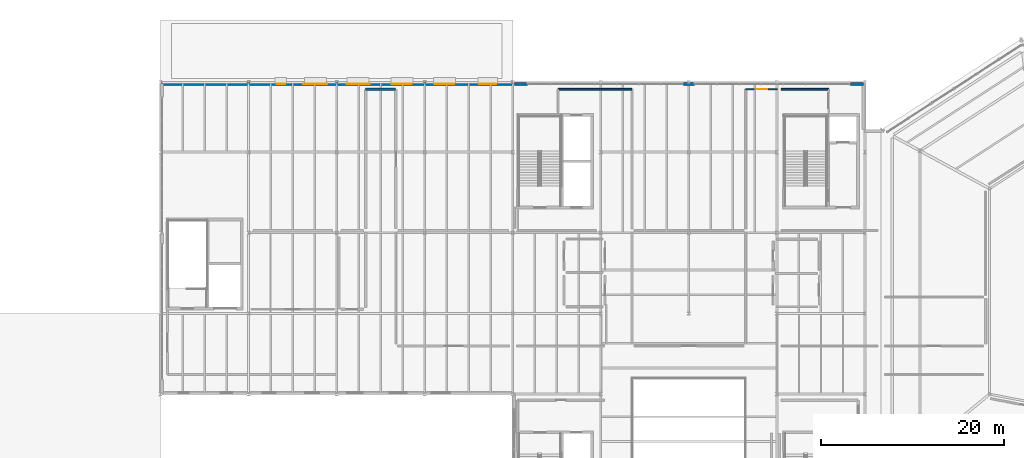
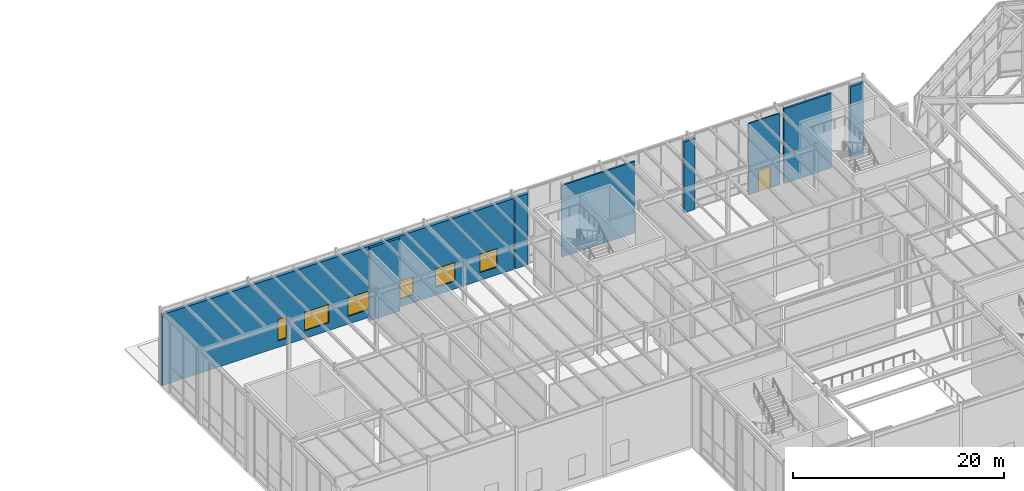
# One storey, part 39 of 48: 8 walls, 6 windows, 1 door, 7 openings.
"""IFC4 building model written with IfcOpenShell, lengths in metres."""

from ifc_helpers import new_model, si_unit, direction, frame, frame_2d, origin, place, context, subcontext, project, spatial, rectangle, extrude, material, layer, layer_set, type_object, element, fill, save


model = new_model("IFC4")

# Units and contexts
model_context = context("Model", 3, precision=1e-05, world=origin(), true_north=direction((0.0, 1.0)))
body_context = subcontext(model_context, "Body", "Model", "MODEL_VIEW")
ifc_project = project(units=[si_unit("LENGTHUNIT", "METRE"), si_unit("AREAUNIT", "SQUARE_METRE"), si_unit("VOLUMEUNIT", "CUBIC_METRE"), si_unit("PLANEANGLEUNIT", "RADIAN"), si_unit("MASSUNIT", "GRAM", prefix="KILO")], contexts=[model_context])

# Site, building, storey
site_placement = place(None, origin())
site = spatial("IfcSite", under=ifc_project, at=site_placement, CompositionType="ELEMENT")
building_placement = place(site_placement, origin())
building = spatial("IfcBuilding", under=site, at=building_placement, Name="Sarnbrook Museum", CompositionType="ELEMENT")
storey_placement = place(building_placement, frame((0.0, 0.0, 19.10009765625)))
storey = spatial("IfcBuildingStorey", under=building, at=storey_placement, Name="L04", CompositionType="ELEMENT", Elevation=19.10009765625)

# Wall
ifc_material_1 = material(Name="Concrete N40 (AS 3600, f'c = 40 MPa)", Category="concrete")
ifc_layer_1 = layer(ifc_material_1, 0.260009765625)
ifc_layer_set_1 = layer_set([ifc_layer_1], Name="Concrete N40 (AS 3600, f'c = 40 MPa)")
wall_type_1 = type_object("IfcWallType", Name="FireWall_FW240", PredefinedType="SOLIDWALL", material=ifc_layer_set_1)
wall_1_placement = place(storey_placement, frame((68.0400390625, 107.64990234375, 0.0), z_axis=(0.0, 0.0, 1.0), x_axis=(-1.0, 0.0, 0.0)))
element("IfcWall", 1, at=wall_1_placement, inside=storey, type_object=wall_type_1, Name="Interior Partition Wall L04-0788", PredefinedType="SOLIDWALL", context=body_context, shape_type="SweptSolid", body=[
    extrude(rectangle(XDim=3.280029296875, YDim=0.260009765625, at=frame_2d((1.64013671875, 0.0))), origin(), (0.0, 0.0, 1.0), 8.416015625),
])

# Wall, opening, door
ifc_material_2 = material(Name="Fire-Rated Acoustic Gypsum Plasterboard")
ifc_layer_2 = layer(ifc_material_2, 0.1201171875)
ifc_layer_set_2 = layer_set([ifc_layer_2], Name="Fire-Rated Acoustic Gypsum Plasterboard")
wall_type_2 = type_object("IfcWallType", Name="PartWall_P120", PredefinedType="PARTITIONING", material=ifc_layer_set_2)
wall_2_placement = place(storey_placement, frame((109.6298828125, 107.64990234375, 0.0), z_axis=(0.0, 0.0, 1.0), x_axis=(-1.0, 0.0, 0.0)))
wall_2 = element("IfcWall", 2, at=wall_2_placement, inside=storey, type_object=wall_type_2, Name="Interior Partition Wall L04-0769", PredefinedType="PARTITIONING", context=body_context, shape_type="SweptSolid", body=[
    extrude(rectangle(XDim=3.419921875, YDim=0.1201171875, at=frame_2d((1.7099609375, 0.0))), origin(), (0.0, 0.0, 1.0), 8.262939453125),
])
opening_1_placement = place(wall_2_placement, frame((1.06005859375, 0.0, 0.0)))
opening_1 = element("IfcOpeningElement", 3, at=opening_1_placement, cuts=wall_2, Name="Opening D-L04-218", PredefinedType="OPENING", context=body_context, shape_type="SweptSolid", body=[
    extrude(rectangle(XDim=1.300048828125, YDim=2.4599609375, at=frame_2d((0.64990234375, 1.22998046875))), frame((0.0, 0.070068359375, 0.0), z_axis=(0.0, -1.0, 0.0), x_axis=(1.0, 0.0, 0.0)), (0.0, 0.0, 1.0), 0.14013671875),
])
ifc_material_3 = material(Name="Tasmanian Oak Acoustic Timber", Category="wood")
door_type = type_object("IfcDoorType", Name="IntDoor_DT28", OperationType="NOTDEFINED", PredefinedType="DOOR", material=ifc_material_3)
door_placement = place(opening_1_placement, origin())
door = element("IfcDoor", 4, at=door_placement, inside=storey, type_object=door_type, Name="Mineral Crystal Treasury L04-7 Door D-L04-218", OperationType="SINGLE_SWING_RIGHT", OverallHeight=2.4599609375, OverallWidth=1.300048828125, PredefinedType="DOOR", context=body_context, shape_type="SweptSolid", body=[
    extrude(rectangle(XDim=1.300048828125, YDim=2.4599609375, at=frame_2d((0.64990234375, 1.22998046875))), frame((0.0, 0.02490234375, 0.0), z_axis=(0.0, -1.0, 0.0), x_axis=(1.0, 0.0, 0.0)), (0.0, 0.0, 1.0), 0.050048828125),
])
fill(opening_1, door)

# Walls
ifc_layer_3 = layer(ifc_material_2, 0.179931640625)
ifc_layer_set_3 = layer_set([ifc_layer_3], Name="Fire-Rated Acoustic Gypsum Plasterboard")
wall_type_3 = type_object("IfcWallType", Name="PartWall_P180", PredefinedType="PARTITIONING", material=ifc_layer_set_3)
wall_3_placement = place(storey_placement, frame((93.7900390625, 107.64990234375, 0.0), z_axis=(0.0, 0.0, 1.0), x_axis=(-1.0, 0.0, 0.0)))
element("IfcWall", 5, at=wall_3_placement, inside=storey, type_object=wall_type_3, Name="Interior Partition Wall L04-0772", PredefinedType="PARTITIONING", context=body_context, shape_type="SweptSolid", body=[
    extrude(rectangle(XDim=8.030029296875, YDim=0.179931640625, at=frame_2d((4.01513671875, 0.0))), origin(), (0.0, 0.0, 1.0), 8.262939453125),
])
ifc_layer_4 = layer(ifc_material_2, 0.2099609375)
ifc_layer_set_4 = layer_set([ifc_layer_4], Name="Fire-Rated Acoustic Gypsum Plasterboard")
wall_type_4 = type_object("IfcWallType", Name="PartWall_P210", PredefinedType="PARTITIONING", material=ifc_layer_set_4)
wall_4_placement = place(storey_placement, frame((115.239990234375, 107.64990234375, 0.0), z_axis=(0.0, 0.0, 1.0), x_axis=(-1.0, 0.0, 0.0)))
element("IfcWall", 6, at=wall_4_placement, inside=storey, type_object=wall_type_4, Name="Interior Partition Wall L04-0784", PredefinedType="PARTITIONING", context=body_context, shape_type="SweptSolid", body=[
    extrude(rectangle(XDim=5.18994140625, YDim=0.2099609375, at=frame_2d((2.594970703125, 0.0))), origin(), (0.0, 0.0, 1.0), 8.6298828125),
])

# Wall, openings, windows
ifc_material_4 = material(Name="Victorian Bluestone Ashlar Masonry", Category="masonry")
ifc_layer_5 = layer(ifc_material_4, 0.320068359375)
ifc_layer_set_5 = layer_set([ifc_layer_5], Name="Victorian Bluestone Ashlar Masonry")
wall_type_5 = type_object("IfcWallType", Name="Wall_LimestoneSpandrel320", PredefinedType="STANDARD", material=ifc_layer_set_5)
wall_5_placement = place(storey_placement, frame((80.800048828125, 108.239990234375, 0.0), z_axis=(0.0, 0.0, 1.0), x_axis=(-1.0, 0.0, 0.0)))
wall_5 = element("IfcWall", 7, at=wall_5_placement, inside=storey, type_object=wall_type_5, Name="Classical Sandstone Facade Wall L04-01", PredefinedType="STANDARD", context=body_context, shape_type="SweptSolid", body=[
    extrude(rectangle(XDim=38.400146484375, YDim=0.320068359375, at=frame_2d((19.2001953125, 0.0))), origin(), (0.0, 0.0, 1.0), 8.201904296875),
])
opening_2_placement = place(wall_5_placement, frame((1.800048828125, 0.0, 0.89990234375)))
opening_2 = element("IfcOpeningElement", 8, at=opening_2_placement, cuts=wall_5, Name="Opening WT-29", PredefinedType="OPENING", context=body_context, shape_type="SweptSolid", body=[
    extrude(rectangle(XDim=1.85009765625, YDim=2.14990234375, at=frame_2d((0.925048828125, 1.074951171875))), frame((0.0, 0.169921875, 0.0), z_axis=(0.0, -1.0, 0.0), x_axis=(1.0, 0.0, 0.0)), (0.0, 0.0, 1.0), 0.340087890625),
])
opening_3_placement = place(wall_5_placement, frame((6.39990234375, 0.0, 0.89990234375)))
opening_3 = element("IfcOpeningElement", 9, at=opening_3_placement, cuts=wall_5, Name="Opening WT-30", PredefinedType="OPENING", context=body_context, shape_type="SweptSolid", body=[
    extrude(rectangle(XDim=2.1201171875, YDim=2.14990234375, at=frame_2d((1.06005859375, 1.074951171875))), frame((0.0, 0.169921875, 0.0), z_axis=(0.0, -1.0, 0.0), x_axis=(1.0, 0.0, 0.0)), (0.0, 0.0, 1.0), 0.340087890625),
])
opening_4_placement = place(wall_5_placement, frame((11.0, 0.0, 0.89990234375)))
opening_4 = element("IfcOpeningElement", 10, at=opening_4_placement, cuts=wall_5, Name="Opening WT-31", PredefinedType="OPENING", context=body_context, shape_type="SweptSolid", body=[
    extrude(rectangle(XDim=2.199951171875, YDim=2.14990234375, at=frame_2d((1.10009765625, 1.074951171875))), frame((0.0, 0.169921875, 0.0), z_axis=(0.0, -1.0, 0.0), x_axis=(1.0, 0.0, 0.0)), (0.0, 0.0, 1.0), 0.340087890625),
])
opening_5_placement = place(wall_5_placement, frame((15.60009765625, 0.0, 0.89990234375)))
opening_5 = element("IfcOpeningElement", 11, at=opening_5_placement, cuts=wall_5, Name="Opening WT-32", PredefinedType="OPENING", context=body_context, shape_type="SweptSolid", body=[
    extrude(rectangle(XDim=2.52001953125, YDim=2.14990234375, at=frame_2d((1.260009765625, 1.074951171875))), frame((0.0, 0.169921875, 0.0), z_axis=(0.0, -1.0, 0.0), x_axis=(1.0, 0.0, 0.0)), (0.0, 0.0, 1.0), 0.340087890625),
])
opening_6_placement = place(wall_5_placement, frame((20.199951171875, 0.0, 0.89990234375)))
opening_6 = element("IfcOpeningElement", 12, at=opening_6_placement, cuts=wall_5, Name="Opening WT-33", PredefinedType="OPENING", context=body_context, shape_type="SweptSolid", body=[
    extrude(rectangle(XDim=2.64990234375, YDim=2.14990234375, at=frame_2d((1.324951171875, 1.074951171875))), frame((0.0, 0.169921875, 0.0), z_axis=(0.0, -1.0, 0.0), x_axis=(1.0, 0.0, 0.0)), (0.0, 0.0, 1.0), 0.340087890625),
])
opening_7_placement = place(wall_5_placement, frame((24.800048828125, 0.0, 0.75)))
opening_7 = element("IfcOpeningElement", 13, at=opening_7_placement, cuts=wall_5, Name="Opening WT-34", PredefinedType="OPENING", context=body_context, shape_type="SweptSolid", body=[
    extrude(rectangle(XDim=0.949951171875, YDim=2.5, at=frame_2d((0.47509765625, 1.25))), frame((0.0, 0.169921875, 0.0), z_axis=(0.0, -1.0, 0.0), x_axis=(1.0, 0.0, 0.0)), (0.0, 0.0, 1.0), 0.340087890625),
])
ifc_material_5 = material(Name="Double-Glazed Low-Iron Laminated Safety Glass", Category="glass")
window_type_1 = type_object("IfcWindowType", Name="Window_Classical_WT29", PartitioningType="SINGLE_PANEL", PredefinedType="WINDOW", material=ifc_material_5)
window_1_placement = place(opening_2_placement, origin())
window_1 = element("IfcWindow", 14, at=window_1_placement, inside=storey, type_object=window_type_1, Name="Classical Bronze Casement Window WIN:L04:0117", OverallHeight=2.14990234375, OverallWidth=1.85009765625, PartitioningType="SINGLE_PANEL", PredefinedType="WINDOW", context=body_context, shape_type="SweptSolid", body=[
    extrude(rectangle(XDim=1.85009765625, YDim=2.14990234375, at=frame_2d((0.925048828125, 1.074951171875))), frame((0.0, 0.030029296875, 0.0), z_axis=(0.0, -1.0, 0.0), x_axis=(1.0, 0.0, 0.0)), (0.0, 0.0, 1.0), 0.06005859375),
])
fill(opening_2, window_1)
window_type_2 = type_object("IfcWindowType", Name="Window_Classical_WT30", PartitioningType="SINGLE_PANEL", PredefinedType="WINDOW", material=ifc_material_5)
window_2_placement = place(opening_3_placement, origin())
window_2 = element("IfcWindow", 15, at=window_2_placement, inside=storey, type_object=window_type_2, Name="Classical Bronze Casement Window WIN:L04:0118", OverallHeight=2.14990234375, OverallWidth=2.1201171875, PartitioningType="SINGLE_PANEL", PredefinedType="WINDOW", context=body_context, shape_type="SweptSolid", body=[
    extrude(rectangle(XDim=2.1201171875, YDim=2.14990234375, at=frame_2d((1.06005859375, 1.074951171875))), frame((0.0, 0.030029296875, 0.0), z_axis=(0.0, -1.0, 0.0), x_axis=(1.0, 0.0, 0.0)), (0.0, 0.0, 1.0), 0.06005859375),
])
fill(opening_3, window_2)
window_type_3 = type_object("IfcWindowType", Name="Window_Classical_WT31", PartitioningType="SINGLE_PANEL", PredefinedType="WINDOW", material=ifc_material_5)
window_3_placement = place(opening_4_placement, origin())
window_3 = element("IfcWindow", 16, at=window_3_placement, inside=storey, type_object=window_type_3, Name="Classical Bronze Casement Window WIN:L04:0119", OverallHeight=2.14990234375, OverallWidth=2.199951171875, PartitioningType="SINGLE_PANEL", PredefinedType="WINDOW", context=body_context, shape_type="SweptSolid", body=[
    extrude(rectangle(XDim=2.199951171875, YDim=2.14990234375, at=frame_2d((1.10009765625, 1.074951171875))), frame((0.0, 0.030029296875, 0.0), z_axis=(0.0, -1.0, 0.0), x_axis=(1.0, 0.0, 0.0)), (0.0, 0.0, 1.0), 0.06005859375),
])
fill(opening_4, window_3)
window_type_4 = type_object("IfcWindowType", Name="Window_Classical_WT32", PartitioningType="SINGLE_PANEL", PredefinedType="WINDOW", material=ifc_material_5)
window_4_placement = place(opening_5_placement, origin())
window_4 = element("IfcWindow", 17, at=window_4_placement, inside=storey, type_object=window_type_4, Name="Classical Bronze Casement Window WIN:L04:0120", OverallHeight=2.14990234375, OverallWidth=2.52001953125, PartitioningType="SINGLE_PANEL", PredefinedType="WINDOW", context=body_context, shape_type="SweptSolid", body=[
    extrude(rectangle(XDim=2.52001953125, YDim=2.14990234375, at=frame_2d((1.260009765625, 1.074951171875))), frame((0.0, 0.030029296875, 0.0), z_axis=(0.0, -1.0, 0.0), x_axis=(1.0, 0.0, 0.0)), (0.0, 0.0, 1.0), 0.06005859375),
])
fill(opening_5, window_4)
window_type_5 = type_object("IfcWindowType", Name="Window_Classical_WT33", PartitioningType="SINGLE_PANEL", PredefinedType="WINDOW", material=ifc_material_5)
window_5_placement = place(opening_6_placement, origin())
window_5 = element("IfcWindow", 18, at=window_5_placement, inside=storey, type_object=window_type_5, Name="Classical Bronze Casement Window WIN:L04:0121", OverallHeight=2.14990234375, OverallWidth=2.64990234375, PartitioningType="SINGLE_PANEL", PredefinedType="WINDOW", context=body_context, shape_type="SweptSolid", body=[
    extrude(rectangle(XDim=2.64990234375, YDim=2.14990234375, at=frame_2d((1.324951171875, 1.074951171875))), frame((0.0, 0.030029296875, 0.0), z_axis=(0.0, -1.0, 0.0), x_axis=(1.0, 0.0, 0.0)), (0.0, 0.0, 1.0), 0.06005859375),
])
fill(opening_6, window_5)
window_type_6 = type_object("IfcWindowType", Name="Window_Classical_WT34", PartitioningType="SINGLE_PANEL", PredefinedType="WINDOW", material=ifc_material_5)
window_6_placement = place(opening_7_placement, origin())
window_6 = element("IfcWindow", 19, at=window_6_placement, inside=storey, type_object=window_type_6, Name="Classical Bronze Casement Window WIN:L04:0122", OverallHeight=2.5, OverallWidth=0.949951171875, PartitioningType="SINGLE_PANEL", PredefinedType="WINDOW", context=body_context, shape_type="SweptSolid", body=[
    extrude(rectangle(XDim=0.949951171875, YDim=2.5, at=frame_2d((0.47509765625, 1.25))), frame((0.0, 0.030029296875, 0.0), z_axis=(0.0, -1.0, 0.0), x_axis=(1.0, 0.0, 0.0)), (0.0, 0.0, 1.0), 0.06005859375),
])
fill(opening_7, window_6)

# Walls
wall_6_placement = place(storey_placement, frame((119.033935546875, 108.239990234375, 0.0), z_axis=(0.0, 0.0, 1.0), x_axis=(-1.0, 0.0, 0.0)))
element("IfcWall", 20, at=wall_6_placement, inside=storey, type_object=wall_type_5, Name="Classical Sandstone Facade Pier L04-10.1", PredefinedType="STANDARD", context=body_context, shape_type="SweptSolid", body=[
    extrude(rectangle(XDim=1.433837890625, YDim=0.320068359375, at=frame_2d((0.716796875, 0.0))), origin(), (0.0, 0.0, 1.0), 8.201904296875),
])
wall_7_placement = place(storey_placement, frame((100.60009765625, 108.239990234375, 0.0), z_axis=(0.0, 0.0, 1.0), x_axis=(-1.0, 0.0, 0.0)))
element("IfcWall", 21, at=wall_7_placement, inside=storey, type_object=wall_type_5, Name="Classical Sandstone Facade Pier L04-10.2", PredefinedType="STANDARD", context=body_context, shape_type="SweptSolid", body=[
    extrude(rectangle(XDim=1.2001953125, YDim=0.320068359375, at=frame_2d((0.60009765625, 0.0))), origin(), (0.0, 0.0, 1.0), 8.201904296875),
])
wall_8_placement = place(storey_placement, frame((82.39990234375, 108.239990234375, 0.0), z_axis=(0.0, 0.0, 1.0), x_axis=(-1.0, 0.0, 0.0)))
element("IfcWall", 22, at=wall_8_placement, inside=storey, type_object=wall_type_5, Name="Classical Sandstone Facade Pier L04-10.3", PredefinedType="STANDARD", context=body_context, shape_type="SweptSolid", body=[
    extrude(rectangle(XDim=1.433837890625, YDim=0.320068359375, at=frame_2d((0.716796875, 0.0))), origin(), (0.0, 0.0, 1.0), 8.201904296875),
])

save(model, "model.ifc")
